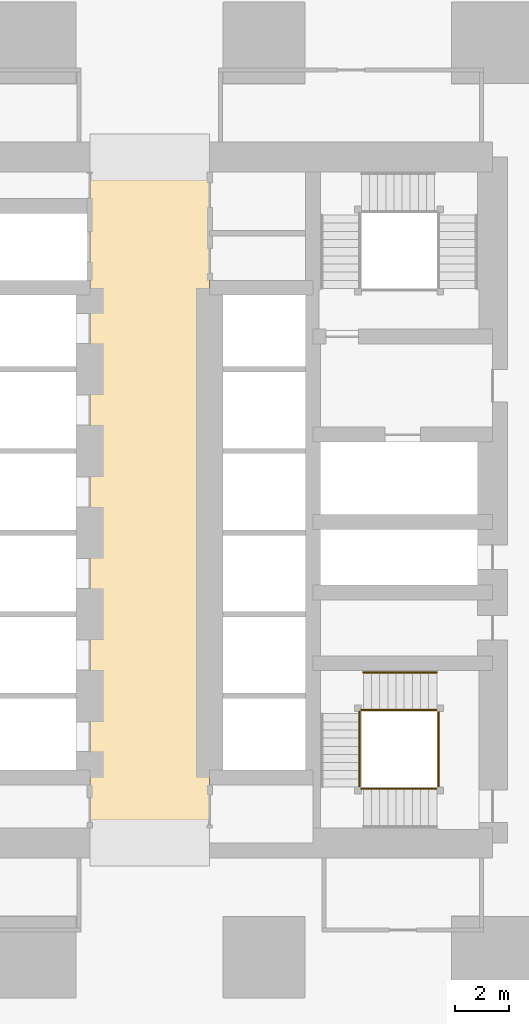
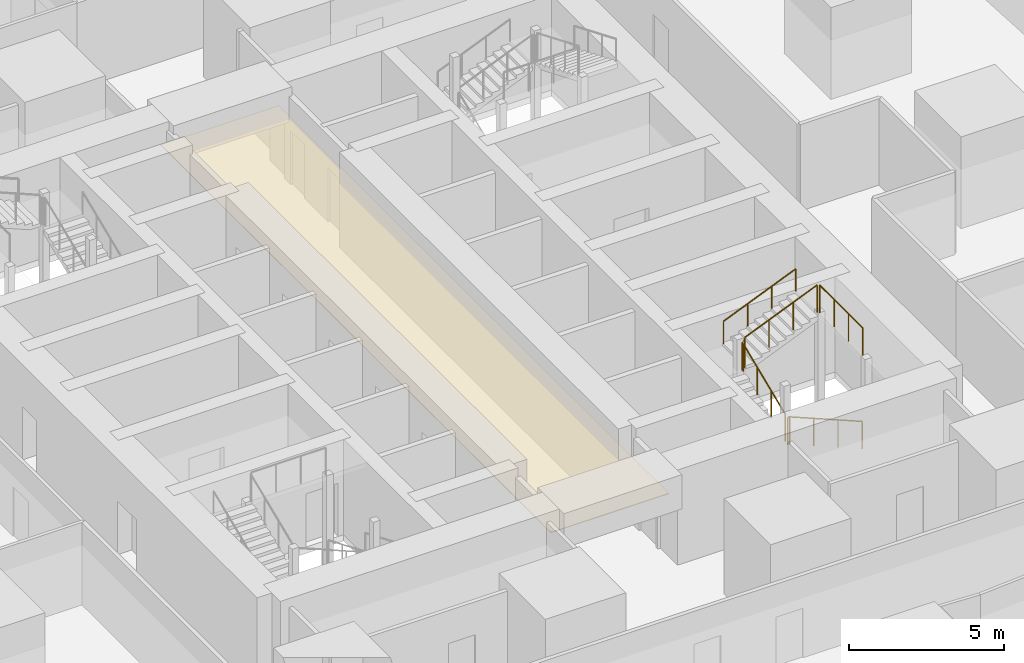
# One storey, part 39 of 44: 8 railings, 1 covering.
"""IFC4 building model written with IfcOpenShell, lengths in metres."""

from ifc_helpers import new_model, si_unit, direction, frame, origin, origin_2d, place, context, subcontext, project, spatial, polyline, circle, outline, extrude, material, layer, layer_set, type_object, element, save


model = new_model("IFC4")

# Units and contexts
model_context = context("Model", 3, precision=1e-05, world=origin(), true_north=direction((0.0, 1.0)))
body_context = subcontext(model_context, "Body", "Model", "MODEL_VIEW")
ifc_project = project(units=[si_unit("LENGTHUNIT", "METRE"), si_unit("AREAUNIT", "SQUARE_METRE"), si_unit("VOLUMEUNIT", "CUBIC_METRE"), si_unit("PLANEANGLEUNIT", "RADIAN"), si_unit("MASSUNIT", "GRAM", prefix="KILO")], contexts=[model_context])

# Site, building, storey
site_placement = place(None, origin())
site = spatial("IfcSite", under=ifc_project, at=site_placement, CompositionType="ELEMENT")
building_placement = place(site_placement, origin())
building = spatial("IfcBuilding", under=site, at=building_placement, Name="Rekha Terrace Tower", CompositionType="ELEMENT")
storey_placement = place(building_placement, frame((0.0, 0.0, 81.64990234375)))
storey = spatial("IfcBuildingStorey", under=building, at=storey_placement, Name="L20", CompositionType="ELEMENT", Elevation=81.64990234375)

# Covering
ifc_material_1 = material(Name="Powder-coated aluminium pan", Category="aluminium")
ifc_layer = layer(ifc_material_1, 0.030029296875)
ifc_layer_set = layer_set([ifc_layer], Name="Powder-coated aluminium pan")
covering_type = type_object("IfcCoveringType", Name="CL3 300x1200 metal pan ceiling", PredefinedType="CEILING", material=ifc_layer_set)
covering_placement = place(storey_placement, frame((0.0, 0.0, 2.47021484375)))
element("IfcCovering", 1, at=covering_placement, inside=storey, type_object=covering_type, Name="Ceiling L20-LOBBY", PredefinedType="CEILING", context=body_context, shape_type="SweptSolid", body=[
    extrude(outline(polyline([(40.0, 46.199951171875), (35.60009765625, 46.199951171875), (35.60009765625, 21.0), (40.0, 21.0), (40.0, 46.199951171875)])), origin(), (0.0, 0.0, 1.0), 0.02978515625),
])

# Railings
ifc_material_2 = material(Name="Stainless steel balustrade", Category="steel")
railing_type_1 = type_object("IfcRailingType", Name="GR1 1100 stair guard", PredefinedType="GUARDRAIL", material=ifc_material_2)
railing_1_placement = place(storey_placement, frame((48.35009765625, 22.989990234375, 0.125)))
element("IfcRailing", 2, at=railing_1_placement, inside=storey, type_object=railing_type_1, Name="Guard ST3 L20 flight 1", PredefinedType="GUARDRAIL", context=body_context, shape_type="SweptSolid", body=[
    extrude(circle(Radius=0.02392578125, at=origin_2d()), frame((0.0, 0.0, 1.076171875), z_axis=(-0.923086799901, 0.0, 0.38459167938), x_axis=(0.0, -1.0, 0.0)), (0.0, 0.0, 1.0), 2.92529296875),
    extrude(circle(Radius=0.02099609375, at=origin_2d()), origin(), (0.0, 0.0, 1.0), 1.052001953125),
    extrude(circle(Radius=0.02099609375, at=origin_2d()), frame((-0.900146484375, 0.0, 0.375)), (0.0, 0.0, 1.0), 1.052001953125),
    extrude(circle(Radius=0.02099609375, at=origin_2d()), frame((-1.800048828125, 0.0, 0.75)), (0.0, 0.0, 1.0), 1.052001953125),
    extrude(circle(Radius=0.02099609375, at=origin_2d()), frame((-2.7001953125, 0.0, 1.125)), (0.0, 0.0, 1.0), 1.052001953125),
])
railing_2_placement = place(storey_placement, frame((45.514892578125, 23.050048828125, 1.375)))
element("IfcRailing", 3, at=railing_2_placement, inside=storey, type_object=railing_type_1, Name="Guard ST3 L20 flight 2", PredefinedType="GUARDRAIL", context=body_context, shape_type="SweptSolid", body=[
    extrude(circle(Radius=0.02392578125, at=origin_2d()), frame((0.0, 0.0, 1.076171875), z_axis=(0.0, 0.923074453586, 0.384621311341), x_axis=(-1.0, 0.0, 0.0)), (0.0, 0.0, 1.0), 2.925048828125),
    extrude(circle(Radius=0.02099609375, at=origin_2d()), origin(), (0.0, 0.0, 1.0), 1.052001953125),
    extrude(circle(Radius=0.02099609375, at=origin_2d()), frame((0.0, 0.89990234375, 0.375)), (0.0, 0.0, 1.0), 1.052001953125),
    extrude(circle(Radius=0.02099609375, at=origin_2d()), frame((0.0, 1.800048828125, 0.75)), (0.0, 0.0, 1.0), 1.052001953125),
    extrude(circle(Radius=0.02099609375, at=origin_2d()), frame((0.0, 2.699951171875, 1.125)), (0.0, 0.0, 1.0), 1.052001953125),
])
railing_3_placement = place(storey_placement, frame((45.64990234375, 25.885009765625, 2.625)))
element("IfcRailing", 4, at=railing_3_placement, inside=storey, type_object=railing_type_1, Name="Guard ST3 L20 flight 3", PredefinedType="GUARDRAIL", context=body_context, shape_type="SweptSolid", body=[
    extrude(circle(Radius=0.02392578125, at=origin_2d()), frame((0.0, 0.0, 1.076171875), z_axis=(0.923086799901, 0.0, 0.38459167938), x_axis=(0.0, 1.0, 0.0)), (0.0, 0.0, 1.0), 2.92529296875),
    extrude(circle(Radius=0.02099609375, at=origin_2d()), origin(), (0.0, 0.0, 1.0), 1.052001953125),
    extrude(circle(Radius=0.02099609375, at=origin_2d()), frame((0.900146484375, 0.0, 0.375)), (0.0, 0.0, 1.0), 1.052001953125),
    extrude(circle(Radius=0.02099609375, at=origin_2d()), frame((1.800048828125, 0.0, 0.75)), (0.0, 0.0, 1.0), 1.052001953125),
    extrude(circle(Radius=0.02099609375, at=origin_2d()), frame((2.7001953125, 0.0, 1.125)), (0.0, 0.0, 1.0), 1.052001953125),
])
railing_4_placement = place(storey_placement, frame((45.64990234375, 22.989990234375, 1.25)))
element("IfcRailing", 5, at=railing_4_placement, inside=storey, type_object=railing_type_1, Name="Guard ST3 L20 landing 1", PredefinedType="GUARDRAIL", context=body_context, shape_type="SweptSolid", body=[
    extrude(circle(Radius=0.02392578125, at=origin_2d()), frame((0.0, 0.0, 1.076171875), z_axis=(-1.0, 0.0, 0.0), x_axis=(0.0, -1.0, 0.0)), (0.0, 0.0, 1.0), 0.074951171875),
    extrude(circle(Radius=0.02099609375, at=origin_2d()), origin(), (0.0, 0.0, 1.0), 1.052001953125),
    extrude(circle(Radius=0.02099609375, at=origin_2d()), frame((-0.074951171875, 0.0, 0.0)), (0.0, 0.0, 1.0), 1.052001953125),
])
railing_5_placement = place(storey_placement, frame((45.514892578125, 25.75, 2.5)))
element("IfcRailing", 6, at=railing_5_placement, inside=storey, type_object=railing_type_1, Name="Guard ST3 L20 landing 2", PredefinedType="GUARDRAIL", context=body_context, shape_type="SweptSolid", body=[
    extrude(circle(Radius=0.02392578125, at=origin_2d()), frame((0.0, 0.0, 1.076171875), z_axis=(0.0, 1.0, 0.0), x_axis=(-1.0, 0.0, 0.0)), (0.0, 0.0, 1.0), 0.074951171875),
    extrude(circle(Radius=0.02099609375, at=origin_2d()), origin(), (0.0, 0.0, 1.0), 1.052001953125),
    extrude(circle(Radius=0.02099609375, at=origin_2d()), frame((0.0, 0.074951171875, 0.0)), (0.0, 0.0, 1.0), 1.052001953125),
])
railing_6_placement = place(storey_placement, frame((45.64990234375, 25.885009765625, 2.5)))
element("IfcRailing", 7, at=railing_6_placement, inside=storey, type_object=railing_type_1, Name="Guard ST3 L20 landing 3", PredefinedType="GUARDRAIL", context=body_context, shape_type="SweptSolid", body=[
    extrude(circle(Radius=0.02392578125, at=origin_2d()), frame((0.0, 0.0, 1.076171875), z_axis=(-1.0, 0.0, 0.0), x_axis=(0.0, -1.0, 0.0)), (0.0, 0.0, 1.0), 0.074951171875),
    extrude(circle(Radius=0.02099609375, at=origin_2d()), origin(), (0.0, 0.0, 1.0), 1.052001953125),
    extrude(circle(Radius=0.02099609375, at=origin_2d()), frame((-0.074951171875, 0.0, 0.0)), (0.0, 0.0, 1.0), 1.052001953125),
])
railing_7_placement = place(storey_placement, frame((48.409912109375, 23.050048828125, 3.75)))
element("IfcRailing", 8, at=railing_7_placement, inside=storey, type_object=railing_type_1, Name="Guard ST3 L20 landing 4", PredefinedType="GUARDRAIL", context=body_context, shape_type="SweptSolid", body=[
    extrude(circle(Radius=0.02392578125, at=origin_2d()), frame((0.0, 0.0, 1.076171875), z_axis=(0.0, 1.0, 0.0), x_axis=(-1.0, 0.0, 0.0)), (0.0, 0.0, 1.0), 2.77490234375),
    extrude(circle(Radius=0.02099609375, at=origin_2d()), origin(), (0.0, 0.0, 1.0), 1.052001953125),
    extrude(circle(Radius=0.02099609375, at=origin_2d()), frame((0.0, 0.925048828125, 0.0)), (0.0, 0.0, 1.0), 1.052001953125),
    extrude(circle(Radius=0.02099609375, at=origin_2d()), frame((0.0, 1.849853515625, 0.0)), (0.0, 0.0, 1.0), 1.052001953125),
    extrude(circle(Radius=0.02099609375, at=origin_2d()), frame((0.0, 2.77490234375, 0.0)), (0.0, 0.0, 1.0), 1.052001953125),
])
ifc_material_3 = material(Name="Stainless steel tube", Category="steel")
railing_type_2 = type_object("IfcRailingType", Name="HR1 900 stair handrail", PredefinedType="HANDRAIL", material=ifc_material_3)
railing_8_placement = place(storey_placement, frame((45.64990234375, 27.264892578125, 2.625)))
element("IfcRailing", 9, at=railing_8_placement, inside=storey, type_object=railing_type_2, Name="Handrail ST3 L20 flight 3", PredefinedType="HANDRAIL", context=body_context, shape_type="SweptSolid", body=[
    extrude(circle(Radius=0.02392578125, at=origin_2d()), frame((0.0, 0.0, 0.8759765625), z_axis=(0.923086799901, 0.0, 0.38459167938), x_axis=(0.0, 1.0, 0.0)), (0.0, 0.0, 1.0), 2.92529296875),
    extrude(circle(Radius=0.02099609375, at=origin_2d()), origin(), (0.0, 0.0, 1.0), 0.851806640625),
    extrude(circle(Radius=0.02099609375, at=origin_2d()), frame((0.900146484375, 0.0, 0.375)), (0.0, 0.0, 1.0), 0.851806640625),
    extrude(circle(Radius=0.02099609375, at=origin_2d()), frame((1.800048828125, 0.0, 0.75)), (0.0, 0.0, 1.0), 0.851806640625),
    extrude(circle(Radius=0.02099609375, at=origin_2d()), frame((2.7001953125, 0.0, 1.125)), (0.0, 0.0, 1.0), 0.851806640625),
])

save(model, "model.ifc")
